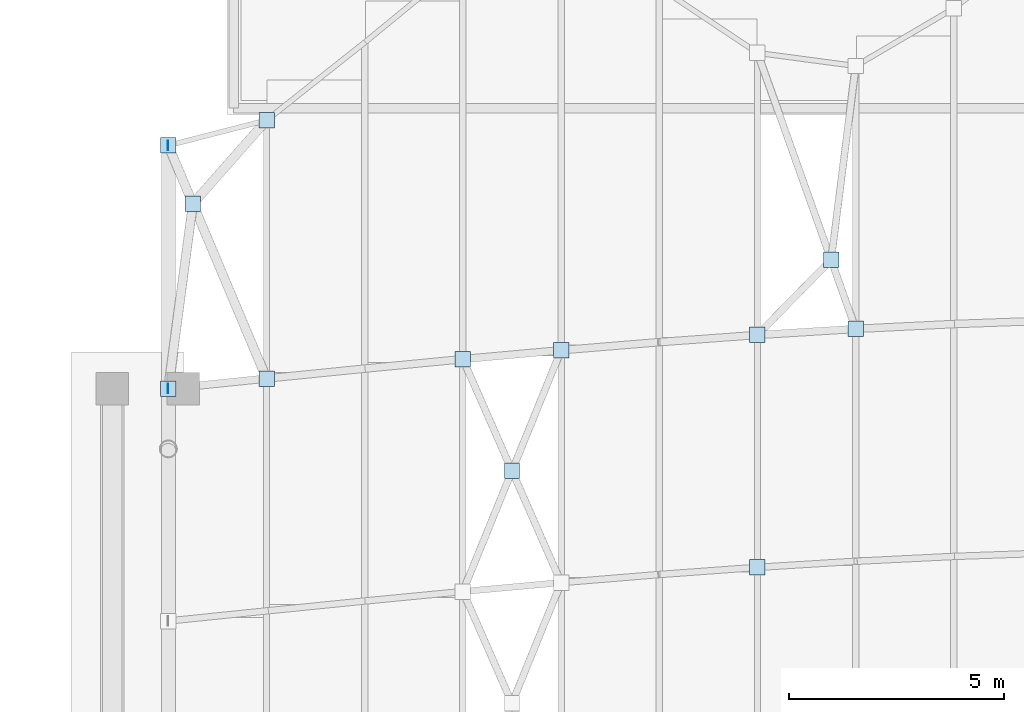
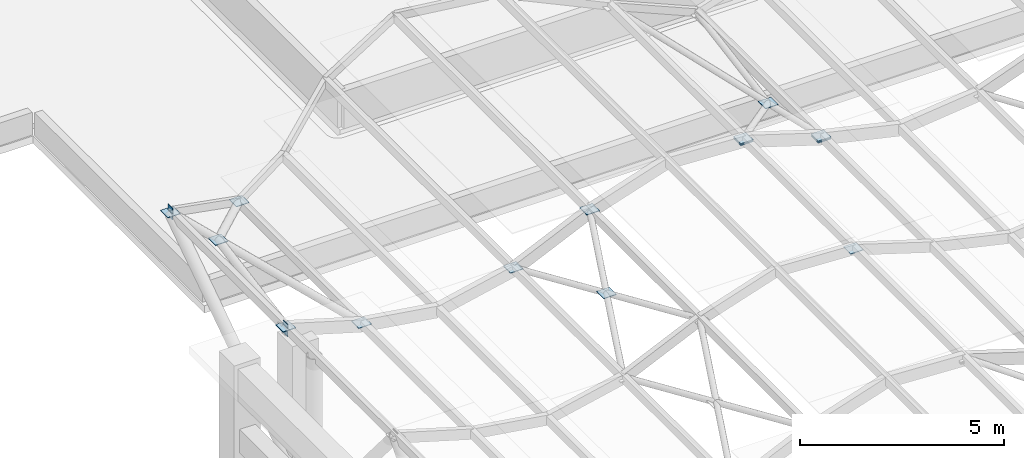
# One storey, part 47 of 79: 16 plates.
"""IFC4 building model written with IfcOpenShell, lengths in metres."""

from ifc_helpers import new_model, si_unit, direction, frame, origin, origin_2d, place, context, subcontext, project, spatial, rectangle, extrude, material, layer, layer_set, type_object, element, save


model = new_model("IFC4")

# Units and contexts
model_context = context("Model", 3, precision=1e-05, world=origin(), true_north=direction((0.0, 1.0)))
body_context = subcontext(model_context, "Body", "Model", "MODEL_VIEW")
ifc_project = project(units=[si_unit("LENGTHUNIT", "METRE"), si_unit("AREAUNIT", "SQUARE_METRE"), si_unit("VOLUMEUNIT", "CUBIC_METRE"), si_unit("PLANEANGLEUNIT", "RADIAN"), si_unit("MASSUNIT", "GRAM", prefix="KILO")], contexts=[model_context])

# Site, building, storey
site_placement = place(None, origin())
site = spatial("IfcSite", under=ifc_project, at=site_placement, CompositionType="ELEMENT")
building_placement = place(site_placement, origin())
building = spatial("IfcBuilding", under=site, at=building_placement, Name="Kolvaren Faculty of Natural Sciences", CompositionType="ELEMENT")
storey_placement = place(building_placement, frame((0.0, 0.0, 10.199951171875)))
storey = spatial("IfcBuildingStorey", under=building, at=storey_placement, Name="L02", CompositionType="ELEMENT", Elevation=10.199951171875)

# Plates
ifc_material_1 = material(Name="Structural steel EN 10025-2 S355J2 (white architectural finish)", Category="steel")
ifc_layer_1 = layer(ifc_material_1, 0.02001953125)
ifc_layer_set_1 = layer_set([ifc_layer_1], Name="Structural steel EN 10025-2 S355J2 (white architectural finish)")
plate_type_1 = type_object("IfcPlateType", Name="BranchTipCollarPlate_TN3", PredefinedType="USERDEFINED", material=ifc_layer_set_1)
for number, where, z_axis, x_axis, name in (
    (1, (51.69091796875, 56.447021484375, 3.780029296875), (0.0, 0.0, 1.0), (1.0, 0.0, 0.0), "Steel tree TREE-01 branch tip collar node TN3"),
    (2, (51.69091796875, 61.846923828125, 3.7548828125), (0.0, 0.0, 1.0), (1.0, 0.0, 0.0), "Steel tree TREE-02 branch tip collar node TN3"),
    (3, (53.97265625, 61.988037109375, 2.948974609375), (0.0, 0.0, 1.0), (1.0, 0.0, 0.0), "Steel tree TREE-02 branch tip collar node TN3"),
    (4, (38.0, 66.25, 3.714599609375), (0.0, 0.0, 1.0), (1.0, 0.0, 0.0), "Canopy portal W-N-EAVE tip node TN3"),
    (5, (38.570556640625, 64.896240234375, 3.5078125), (0.0, 0.0, 1.0), (1.0, 0.0, 0.0), "Canopy X-brace crossing gusset plate N1-1-0"),
    (6, (40.28173828125, 60.834716796875, 2.887451171875), (0.0, 0.0, 1.0), (1.0, 0.0, 0.0), "Canopy X-brace end gusset plate N1-1-2"),
    (7, (38.0, 60.60009765625, 3.714599609375), (0.0, 0.0, 1.0), (1.0, 0.0, 0.0), "Canopy X-brace end gusset plate N1-1-3"),
    (8, (40.28173828125, 66.836181640625, 2.887451171875), (0.0, 0.0, 1.0), (1.0, 0.0, 0.0), "Canopy X-brace end gusset plate N1-1-4"),
    (9, (45.986328125, 58.688720703125, 3.078125), (0.0, 0.0, 1.0), (1.0, 0.0, 0.0), "Canopy X-brace crossing gusset plate N2-4-0"),
    (10, (44.845458984375, 61.285400390625, 2.6689453125), (0.0, 0.0, 1.0), (1.0, 0.0, 0.0), "Canopy X-brace end gusset plate N2-4-1"),
    (11, (47.127197265625, 61.4921875, 3.487548828125), (0.0, 0.0, 1.0), (1.0, 0.0, 0.0), "Canopy X-brace end gusset plate N2-4-4"),
    (12, (53.40234375, 63.59130859375, 3.200439453125), (0.0, 0.0, 1.0), (1.0, 0.0, 0.0), "Canopy X-brace crossing gusset plate N1-7-0"),
    (13, (53.97265625, 61.988037109375, 2.9990234375), (0.0, 0.0, 1.0), (1.0, 0.0, 0.0), "Canopy X-brace end gusset plate N1-7-2"),
    (14, (51.69091796875, 61.846923828125, 3.804931640625), (0.0, 0.0, 1.0), (1.0, 0.0, 0.0), "Canopy X-brace end gusset plate N1-7-3"),
):
    element("IfcPlate", number, at=place(storey_placement, frame(where, z_axis=z_axis, x_axis=x_axis)), inside=storey, type_object=plate_type_1, Name=name, ObjectType="GUSSET PLATE", PredefinedType="USERDEFINED", context=body_context, shape_type="SweptSolid", body=[
        extrude(rectangle(XDim=0.360107421875, YDim=0.360107421875, at=origin_2d()), origin(), (0.0, 0.0, 1.0), 0.02001953125),
    ])
ifc_material_2 = material(Name="Structural steel EN 10210-1 S355J2H (white architectural finish)", Category="steel")
ifc_layer_2 = layer(ifc_material_2, 0.01611328125)
ifc_layer_set_2 = layer_set([ifc_layer_2], Name="Structural steel EN 10210-1 S355J2H (white architectural finish)")
plate_type_2 = type_object("IfcPlateType", Name="CanopyBeamEndCap_EC1", PredefinedType="USERDEFINED", material=ifc_layer_set_2)
for number, where, z_axis, x_axis, name in (
    (15, (37.991943359375, 60.60009765625, 3.49462890625), (0.0, 0.0, 1.0), (1.0, 0.0, 0.0), "Covered street canopy west end cap plate N-SPINE"),
    (16, (37.991943359375, 66.25, 3.5595703125), (0.0, 0.0, 1.0), (1.0, 0.0, 0.0), "Covered street canopy west end cap plate N-WAVE"),
):
    element("IfcPlate", number, at=place(storey_placement, frame(where, z_axis=z_axis, x_axis=x_axis)), inside=storey, type_object=plate_type_2, Name=name, ObjectType="GUSSET PLATE", PredefinedType="USERDEFINED", context=body_context, shape_type="SweptSolid", body=[
        extrude(rectangle(XDim=0.01611328125, YDim=0.219970703125, at=origin_2d()), origin(), (0.0, 0.0, 1.0), 0.360107421875),
    ])

save(model, "model.ifc")
